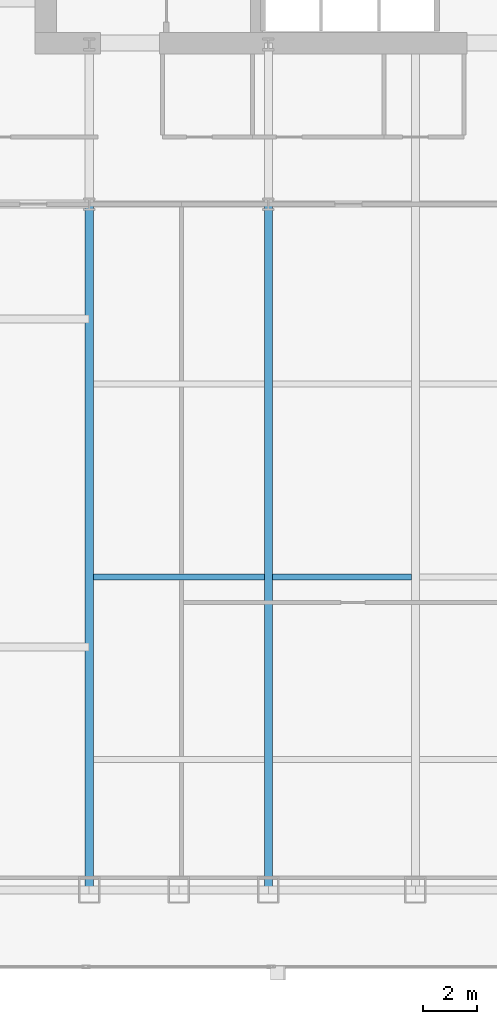
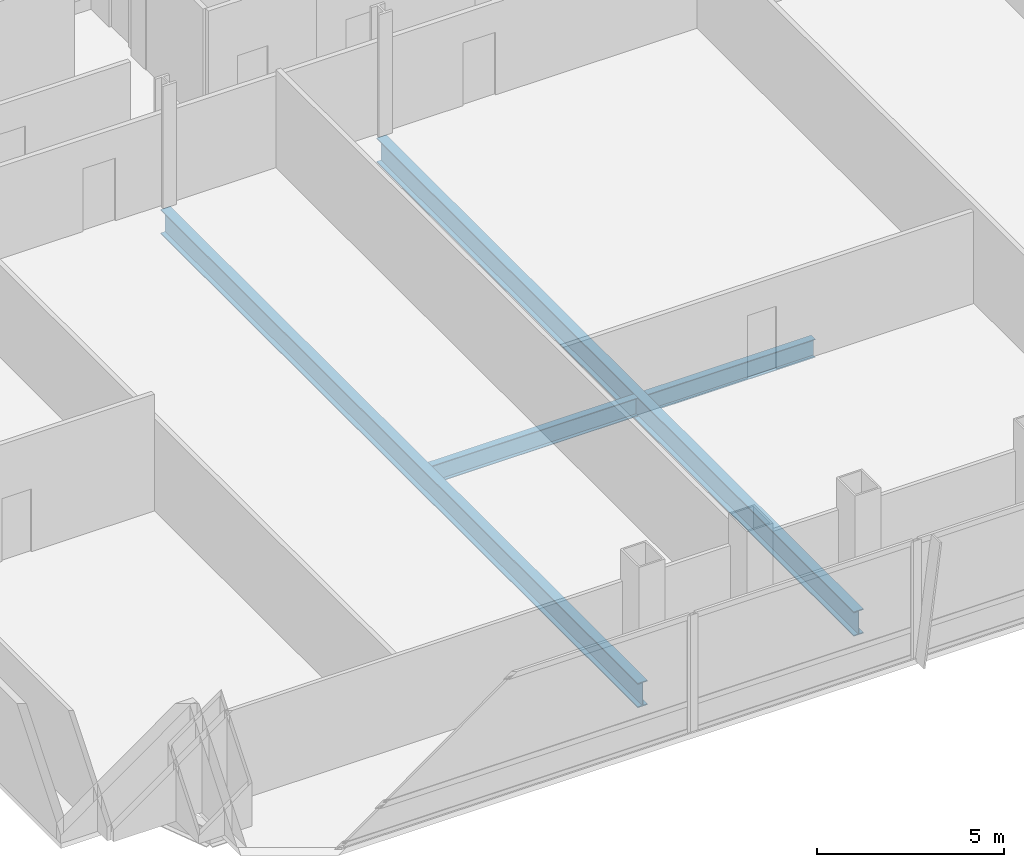
# One storey, part 9 of 32: 4 beams.
"""IFC4 building model written with IfcOpenShell, lengths in metres."""

import ifcopenshell
import ifcopenshell.guid

model = None  # the IFC model being written
_history = None  # IfcOwnerHistory: only IFC2X3 demands one
_inside = {}  # id of a spatial element -> (the spatial element, [elements in it])
_under = {}  # id of a project, library or spatial element -> (it, [spatial elements below it])
_declared = {}  # id of a project -> (the project, [libraries it declares])
_typed = {}  # id of a type object -> (the type object, [elements of that type])
_made_of = {}  # id of a material, layer set ... -> (it, [elements and type objects made of it])


def new_model(schema):
    """Start an empty IFC model of exactly this schema.

    Asked for "IFC4X3", IfcOpenShell would pick the latest addendum, in which some entities
    have other attributes; the version numbers below select the first issue.
    IFC2X3 requires an IfcOwnerHistory on every rooted entity: one is made here for all.
    """
    global model, _history
    if schema == "IFC4X3":
        model = ifcopenshell.file(schema_version=(4, 3, 0, 0))
    else:
        model = ifcopenshell.file(schema=schema)
    _inside.clear()
    _under.clear()
    _declared.clear()
    _typed.clear()
    _made_of.clear()
    _history = None
    if model.schema == "IFC2X3":
        org = make("IfcOrganization", Name="unknown")
        user = make(
            "IfcPersonAndOrganization",
            ThePerson=make("IfcPerson", FamilyName="unknown"),
            TheOrganization=org,
        )
        app = make(
            "IfcApplication",
            ApplicationDeveloper=org,
            Version="unknown",
            ApplicationFullName="unknown",
            ApplicationIdentifier="unknown",
        )
        _history = make(
            "IfcOwnerHistory",
            OwningUser=user,
            OwningApplication=app,
            ChangeAction="ADDED",
            CreationDate=0,
        )
    return model


def make(cls, **values):
    """One entity of the class cls with the attributes given. An attribute that is None is left unset."""
    return model.create_entity(
        cls, **{name: value for name, value in values.items() if value is not None}
    )


def rooted(cls, **values):
    """An entity with a GlobalId (a new one), such as an element, a storey or a relation."""
    return make(cls, GlobalId=ifcopenshell.guid.new(), OwnerHistory=_history, **values)


def si_unit(unit_type, name, prefix=None):
    """IfcSIUnit, for example si_unit("LENGTHUNIT", "METRE", prefix="MILLI")."""
    return make("IfcSIUnit", UnitType=unit_type, Prefix=prefix, Name=name)


def assignment(units):
    """IfcUnitAssignment: the units of a project."""
    return None if units is None else make("IfcUnitAssignment", Units=units)


def point(xyz):
    """IfcCartesianPoint."""
    return None if xyz is None else make("IfcCartesianPoint", Coordinates=xyz)


def direction(xyz):
    """IfcDirection."""
    return None if xyz is None else make("IfcDirection", DirectionRatios=xyz)


def frame(location, z_axis=None, x_axis=None):
    """IfcAxis2Placement3D, a coordinate frame: its origin and axes. An axis left out is left unset."""
    return make(
        "IfcAxis2Placement3D",
        Location=point(location),
        Axis=direction(z_axis),
        RefDirection=direction(x_axis),
    )


def frame_2d(location, x_axis=None):
    """IfcAxis2Placement2D, a coordinate frame in the plane: its origin and x axis."""
    return make(
        "IfcAxis2Placement2D", Location=point(location), RefDirection=direction(x_axis)
    )


def origin():
    """The frame at (0, 0, 0) with its axes left unset."""
    return frame((0.0, 0.0, 0.0))


def origin_2d():
    """The frame at (0, 0) in the plane with its x axis left unset."""
    return frame_2d((0.0, 0.0))


def place(relative_to, where):
    """IfcLocalPlacement: puts the frame where relative to a parent placement (None: the world)."""
    return make(
        "IfcLocalPlacement", PlacementRelTo=relative_to, RelativePlacement=where
    )


def context(
    kind, dimensions, precision=None, world=None, true_north=None, identifier=None
):
    """IfcGeometricRepresentationContext, for example the 3D "Model" context."""
    return make(
        "IfcGeometricRepresentationContext",
        ContextIdentifier=identifier,
        ContextType=kind,
        CoordinateSpaceDimension=dimensions,
        Precision=precision,
        WorldCoordinateSystem=world,
        TrueNorth=true_north,
    )


def subcontext(parent, identifier, kind, view, scale=None):
    """IfcGeometricRepresentationSubContext, for example "Body" below "Model"."""
    return make(
        "IfcGeometricRepresentationSubContext",
        ContextIdentifier=identifier,
        ContextType=kind,
        ParentContext=parent,
        TargetScale=scale,
        TargetView=view,
    )


def project(units=None, contexts=None):
    """IfcProject with its units and contexts."""
    return rooted(
        "IfcProject",
        Name="project",
        RepresentationContexts=contexts,
        UnitsInContext=assignment(units),
    )


def spatial(cls, under=None, at=None, **own):
    """A site, building, storey or space (cls), placed at a placement, below another one or the project."""
    s = rooted(cls, ObjectPlacement=at, **own)
    if under is not None:
        _under.setdefault(under.id(), (under, []))[1].append(s)
    return s


def profile(cls, at=None, kind="AREA", **sizes):
    """A parametric profile (cls). Its sizes go by their IFC names, for example OverallWidth=200.0."""
    return make(cls, ProfileType=kind, Position=at, **sizes)


def i_section(**sizes):
    """IfcIShapeProfileDef."""
    return profile("IfcIShapeProfileDef", **sizes)


def extrude(swept, where, along, depth):
    """IfcExtrudedAreaSolid: the profile swept, set in the frame where, extruded along a direction by depth."""
    return make(
        "IfcExtrudedAreaSolid",
        SweptArea=swept,
        Position=where,
        ExtrudedDirection=direction(along),
        Depth=depth,
    )


def shape(context_of_items, identifier, shape_type, items):
    """IfcShapeRepresentation: the items that make up one representation, for example the "Body"."""
    return make(
        "IfcShapeRepresentation",
        ContextOfItems=context_of_items,
        RepresentationIdentifier=identifier,
        RepresentationType=shape_type,
        Items=items,
    )


def material(Name=None, Category=None):
    """IfcMaterial."""
    return make("IfcMaterial", Name=Name, Category=Category)


def material_profile(
    of_material, cross_section, Name=None, Category=None, Priority=None
):
    """IfcMaterialProfile: a cross section and its material."""
    return make(
        "IfcMaterialProfile",
        Name=Name,
        Material=of_material,
        Profile=cross_section,
        Priority=Priority,
        Category=Category,
    )


def profile_set(profiles, Name=None, composite=None):
    """IfcMaterialProfileSet."""
    return make(
        "IfcMaterialProfileSet",
        Name=Name,
        MaterialProfiles=profiles,
        CompositeProfile=composite,
    )


def made_of(thing, what):
    """Note that an element or type object is made of a material, layer set ...; save() writes the relation."""
    if what is not None:
        _made_of.setdefault(what.id(), (what, []))[1].append(thing)
    return thing


def type_object(cls, material=None, **own):
    """A type object (cls), such as IfcWallType, which elements share."""
    return made_of(rooted(cls, **own), material)


def element(
    cls,
    number,
    at=None,
    inside=None,
    cuts=None,
    type_object=None,
    material=None,
    context=None,
    identifier="Body",
    shape_type=None,
    held_by="IfcProductDefinitionShape",
    body=None,
    shapes=None,
    **own,
):
    """One element of the class cls, such as IfcWall. Its Tag is "e" and its number.

    at: its placement. inside: the storey or other place that contains it. cuts: it is an
    opening in that element (IfcRelVoidsElement). A single representation is given by context,
    identifier, shape_type and body (its items); several are given by shapes. held_by: the class
    of the entity that holds the representations. save() writes the other relations.
    """
    e = rooted(cls, Tag="e%d" % number, ObjectPlacement=at, **own)
    if body is not None:
        shapes = [shape(context, identifier, shape_type, body)]
    if shapes is not None:
        e.Representation = make(held_by, Representations=shapes)
    if inside is not None:
        _inside.setdefault(inside.id(), (inside, []))[1].append(e)
    if cuts is not None:
        rooted(
            "IfcRelVoidsElement", RelatingBuildingElement=cuts, RelatedOpeningElement=e
        )
    if type_object is not None:
        _typed.setdefault(type_object.id(), (type_object, []))[1].append(e)
    return made_of(e, material)


def aggregate(whole, parts):
    """IfcRelAggregates: a whole, such as a stair, and the parts it consists of."""
    return rooted("IfcRelAggregates", RelatingObject=whole, RelatedObjects=parts)


def save(model, path):
    """Write the relations noted so far, then the file.

    IfcRelAggregates (storeys below a building ...), IfcRelContainedInSpatialStructure (elements
    in a storey), IfcRelDefinesByType, IfcRelAssociatesMaterial and IfcRelDeclares: one each for
    every whole, place, type object, material and project.
    """
    for whole, parts in _under.values():
        aggregate(whole, parts)
    for where, things in _inside.values():
        rooted(
            "IfcRelContainedInSpatialStructure",
            RelatedElements=things,
            RelatingStructure=where,
        )
    for kind, things in _typed.values():
        rooted("IfcRelDefinesByType", RelatedObjects=things, RelatingType=kind)
    for what, things in _made_of.values():
        rooted("IfcRelAssociatesMaterial", RelatedObjects=things, RelatingMaterial=what)
    for by, libraries in _declared.values():
        rooted("IfcRelDeclares", RelatingContext=by, RelatedDefinitions=libraries)
    model.write(path)


model = new_model("IFC4")

# Units and contexts
model_context = context("Model", 3, precision=1e-05, world=origin(), true_north=direction((0.0, 1.0)))
body_context = subcontext(model_context, "Body", "Model", "MODEL_VIEW")
ifc_project = project(units=[si_unit("LENGTHUNIT", "METRE"), si_unit("AREAUNIT", "SQUARE_METRE"), si_unit("VOLUMEUNIT", "CUBIC_METRE"), si_unit("PLANEANGLEUNIT", "RADIAN"), si_unit("MASSUNIT", "GRAM", prefix="KILO")], contexts=[model_context])

# Site, building, storey
site_placement = place(None, origin())
site = spatial("IfcSite", under=ifc_project, at=site_placement, CompositionType="ELEMENT")
building_placement = place(site_placement, origin())
building = spatial("IfcBuilding", under=site, at=building_placement, Name="Khoronbel Lancet Exchange", CompositionType="ELEMENT")
storey_placement = place(building_placement, frame((0.0, 0.0, 65.800048828125)))
storey = spatial("IfcBuildingStorey", under=building, at=storey_placement, Name="L15", CompositionType="ELEMENT", Elevation=65.800048828125)

# Beams
ifc_material = material(Name="Steel S355", Category="steel")
ifc_material_profile_1 = material_profile(ifc_material, i_section(OverallWidth=0.300048828125, OverallDepth=0.800048828125, WebThickness=0.017578125, FlangeThickness=0.032958984375, at=origin_2d()), Name="HEB 800")
ifc_profile_set_1 = profile_set([ifc_material_profile_1], Name="Steel S355")
beam_type_1 = type_object("IfcBeamType", Name="BM-BG2", PredefinedType="BEAM", material=ifc_profile_set_1)
for number, where, z_axis, x_axis, name in (
    (1, (18.22509765625, 10.14990234375, -0.580078125), (0.0, 1.0, 0.0), (-1.0, 0.0, 0.0), "Level L15 south primary girder GS1"),
    (2, (24.89990234375, 10.14990234375, -0.580078125), (0.0, 1.0, 0.0), (-1.0, 0.0, 0.0), "Level L15 south primary girder GS2"),
):
    element("IfcBeam", number, at=place(storey_placement, frame(where, z_axis=z_axis, x_axis=x_axis)), inside=storey, type_object=beam_type_1, Name=name, PredefinedType="BEAM", context=body_context, shape_type="SweptSolid", body=[
        extrude(i_section(OverallWidth=0.300048828125, OverallDepth=0.800048828125, WebThickness=0.017578125, FlangeThickness=0.032958984375, at=origin_2d()), origin(), (0.0, 0.0, 1.0), 25.550048828125),
    ])
ifc_material_profile_2 = material_profile(ifc_material, i_section(OverallWidth=0.219970703125, OverallDepth=0.60009765625, WebThickness=0.011962890625, FlangeThickness=0.01904296875, at=origin_2d()), Name="IPE 600")
ifc_profile_set_2 = profile_set([ifc_material_profile_2], Name="Steel S355")
beam_type_2 = type_object("IfcBeamType", Name="BM-BJ1", PredefinedType="JOIST", material=ifc_profile_set_2)
beam_1_placement = place(storey_placement, frame((18.375, 21.800048828125, -0.47998046875), z_axis=(1.0, 0.0, 0.0), x_axis=(0.0, 1.0, 0.0)))
element("IfcBeam", 3, at=beam_1_placement, inside=storey, type_object=beam_type_2, Name="Level L15 secondary composite joist J06", PredefinedType="JOIST", context=body_context, shape_type="SweptSolid", body=[
    extrude(i_section(OverallWidth=0.219970703125, OverallDepth=0.60009765625, WebThickness=0.011962890625, FlangeThickness=0.01904296875, at=origin_2d()), origin(), (0.0, 0.0, 1.0), 6.375),
])
beam_2_placement = place(storey_placement, frame((25.050048828125, 21.800048828125, -0.47998046875), z_axis=(1.0, 0.0, 0.0), x_axis=(0.0, 1.0, 0.0)))
element("IfcBeam", 4, at=beam_2_placement, inside=storey, type_object=beam_type_2, Name="Level L15 secondary composite joist J07", PredefinedType="JOIST", context=body_context, shape_type="SweptSolid", body=[
    extrude(i_section(OverallWidth=0.219970703125, OverallDepth=0.60009765625, WebThickness=0.011962890625, FlangeThickness=0.01904296875, at=origin_2d()), origin(), (0.0, 0.0, 1.0), 5.175048828125),
])

save(model, "model.ifc")
